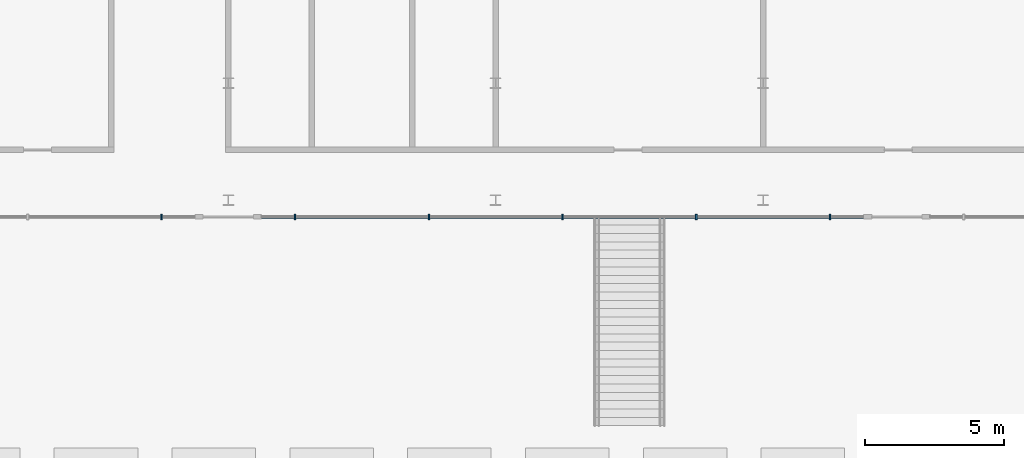
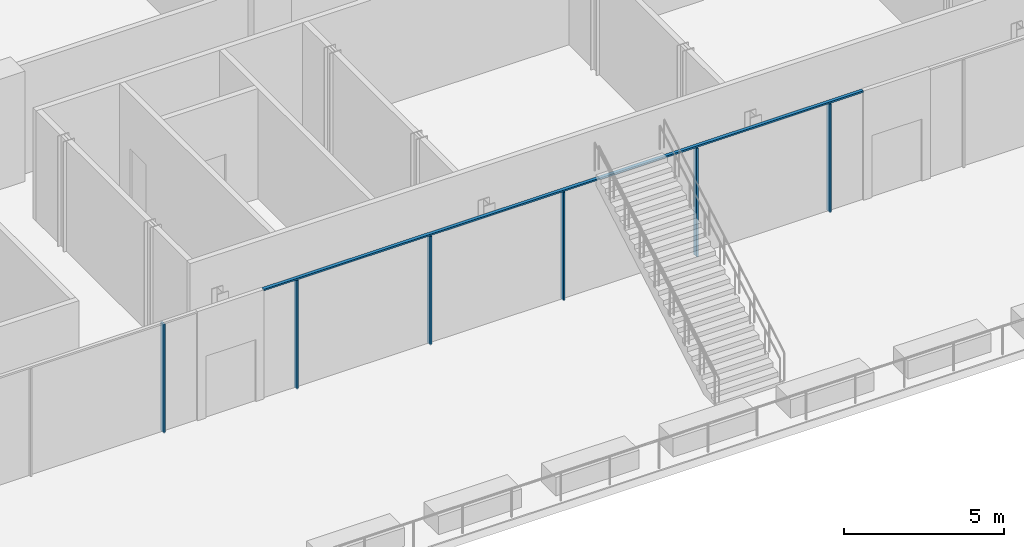
# One storey, part 9 of 38: 7 members, 1 element without a shape of its own.
"""IFC4 building model written with IfcOpenShell, lengths in metres."""

from ifc_helpers import new_model, si_unit, direction, frame, origin, origin_2d, place, context, subcontext, project, spatial, rectangle, extrude, material, layer, layer_set, material_profile, profile_set, type_object, element, aggregate, save


model = new_model("IFC4")

# Units and contexts
model_context = context("Model", 3, precision=1e-05, world=origin(), true_north=direction((0.0, 1.0)))
body_context = subcontext(model_context, "Body", "Model", "MODEL_VIEW")
ifc_project = project(units=[si_unit("LENGTHUNIT", "METRE"), si_unit("AREAUNIT", "SQUARE_METRE"), si_unit("VOLUMEUNIT", "CUBIC_METRE"), si_unit("PLANEANGLEUNIT", "RADIAN"), si_unit("MASSUNIT", "GRAM", prefix="KILO")], contexts=[model_context])

# Site, building, storey
site_placement = place(None, origin())
site = spatial("IfcSite", under=ifc_project, at=site_placement, CompositionType="ELEMENT")
building_placement = place(site_placement, origin())
building = spatial("IfcBuilding", under=site, at=building_placement, Name="Madar Terraces", CompositionType="ELEMENT")
storey_placement = place(building_placement, frame((0.0, 0.0, 15.0)))
storey = spatial("IfcBuildingStorey", under=building, at=storey_placement, Name="L03", CompositionType="ELEMENT", Elevation=15.0)

# Curtain wall, members
ifc_material_1 = material(Name="Glass, clear low-iron, with black aluminium frame", Category="aluminium")
ifc_layer = layer(ifc_material_1, 0.199951171875)
ifc_layer_set = layer_set([ifc_layer], Name="Facade curtain wall, shopfront glazing")
curtain_wall_type = type_object("IfcCurtainWallType", Name="Facade curtain wall, shopfront glazing", PredefinedType="NOTDEFINED", material=ifc_layer_set)
curtain_wall_placement = place(storey_placement, origin())
curtain_wall = element("IfcCurtainWall", 1, at=curtain_wall_placement, inside=storey, type_object=curtain_wall_type, Name="Outer skin curtain wall south bay 1", PredefinedType="NOTDEFINED")
ifc_material_2 = material(Name="Aluminium, black anodised", Category="aluminium")
ifc_material_profile_1 = material_profile(ifc_material_2, rectangle(XDim=0.199951171875, YDim=0.06005859375, at=origin_2d()), Name="Facade mullion 60x200")
ifc_profile_set_1 = profile_set([ifc_material_profile_1], Name="Aluminium, black anodised")
member_type_1 = type_object("IfcMemberType", Name="Facade mullion 60x200", PredefinedType="MULLION", material=ifc_profile_set_1)
member_1_placement = place(storey_placement, frame((31.199951171875, -14.39990234375, 0.0), z_axis=(0.0, 0.0, 1.0), x_axis=(0.0, 1.0, 0.0)))
member_1 = element("IfcMember", 2, at=member_1_placement, type_object=member_type_1, Name="Mullion 7", PredefinedType="MULLION", context=body_context, shape_type="SweptSolid", body=[
    extrude(rectangle(XDim=0.199951171875, YDim=0.06005859375, at=origin_2d()), origin(), (0.0, 0.0, 1.0), 4.139892578125),
])
member_2_placement = place(storey_placement, frame((36.0, -14.39990234375, 0.0), z_axis=(0.0, 0.0, 1.0), x_axis=(0.0, 1.0, 0.0)))
member_2 = element("IfcMember", 3, at=member_2_placement, type_object=member_type_1, Name="Mullion 8", PredefinedType="MULLION", context=body_context, shape_type="SweptSolid", body=[
    extrude(rectangle(XDim=0.199951171875, YDim=0.06005859375, at=origin_2d()), origin(), (0.0, 0.0, 1.0), 4.139892578125),
])
member_3_placement = place(storey_placement, frame((40.800048828125, -14.39990234375, 0.0), z_axis=(0.0, 0.0, 1.0), x_axis=(0.0, 1.0, 0.0)))
member_3 = element("IfcMember", 4, at=member_3_placement, type_object=member_type_1, Name="Mullion 9", PredefinedType="MULLION", context=body_context, shape_type="SweptSolid", body=[
    extrude(rectangle(XDim=0.199951171875, YDim=0.06005859375, at=origin_2d()), origin(), (0.0, 0.0, 1.0), 4.139892578125),
])
member_4_placement = place(storey_placement, frame((45.60009765625, -14.39990234375, 0.0), z_axis=(0.0, 0.0, 1.0), x_axis=(0.0, 1.0, 0.0)))
member_4 = element("IfcMember", 5, at=member_4_placement, type_object=member_type_1, Name="Mullion 10", PredefinedType="MULLION", context=body_context, shape_type="SweptSolid", body=[
    extrude(rectangle(XDim=0.199951171875, YDim=0.06005859375, at=origin_2d()), origin(), (0.0, 0.0, 1.0), 4.139892578125),
])
member_5_placement = place(storey_placement, frame((50.39990234375, -14.39990234375, 0.0), z_axis=(0.0, 0.0, 1.0), x_axis=(0.0, 1.0, 0.0)))
member_5 = element("IfcMember", 6, at=member_5_placement, type_object=member_type_1, Name="Mullion 11", PredefinedType="MULLION", context=body_context, shape_type="SweptSolid", body=[
    extrude(rectangle(XDim=0.199951171875, YDim=0.06005859375, at=origin_2d()), origin(), (0.0, 0.0, 1.0), 4.139892578125),
])
member_6_placement = place(storey_placement, frame((55.199951171875, -14.39990234375, 0.0), z_axis=(0.0, 0.0, 1.0), x_axis=(0.0, 1.0, 0.0)))
member_6 = element("IfcMember", 7, at=member_6_placement, type_object=member_type_1, Name="Mullion 12", PredefinedType="MULLION", context=body_context, shape_type="SweptSolid", body=[
    extrude(rectangle(XDim=0.199951171875, YDim=0.06005859375, at=origin_2d()), origin(), (0.0, 0.0, 1.0), 4.139892578125),
])
ifc_material_3 = material(Name="Aluminium, black anodised", Category="aluminium")
ifc_material_profile_2 = material_profile(ifc_material_3, rectangle(XDim=0.1201171875, YDim=0.06005859375, at=origin_2d()), Name="Facade transom 60x120")
ifc_profile_set_2 = profile_set([ifc_material_profile_2], Name="Aluminium, black anodised")
member_type_2 = type_object("IfcMemberType", Name="Facade transom 60x120", PredefinedType="USERDEFINED", material=ifc_profile_set_2)
member_7_placement = place(storey_placement, frame((34.800048828125, -14.39990234375, 4.169921875), z_axis=(1.0, 0.0, 0.0), x_axis=(0.0, 1.0, 0.0)))
member_7 = element("IfcMember", 8, at=member_7_placement, type_object=member_type_2, Name="Transom 3", ObjectType="TRANSOM", PredefinedType="USERDEFINED", context=body_context, shape_type="SweptSolid", body=[
    extrude(rectangle(XDim=0.1201171875, YDim=0.06005859375, at=origin_2d()), origin(), (0.0, 0.0, 1.0), 21.599853515625),
])
aggregate(curtain_wall, [member_1, member_2, member_3, member_4, member_5, member_6, member_7])

save(model, "model.ifc")
